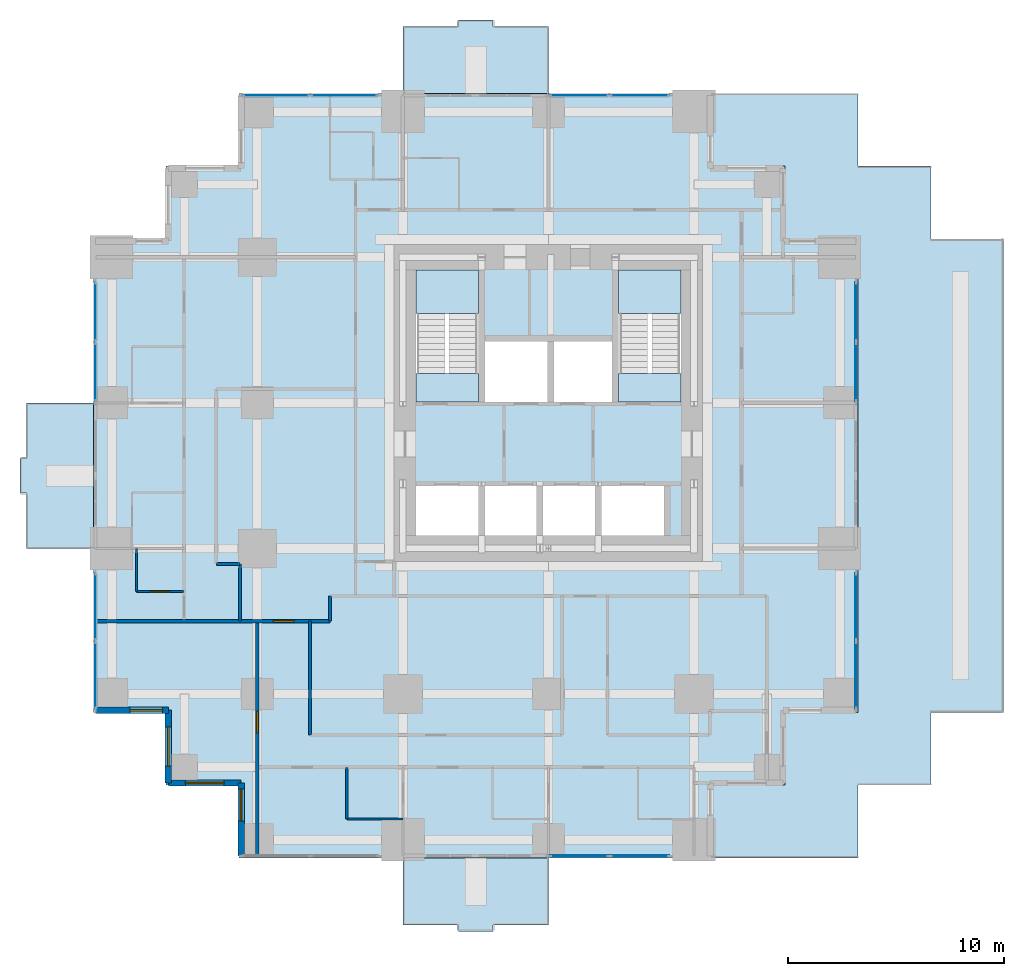
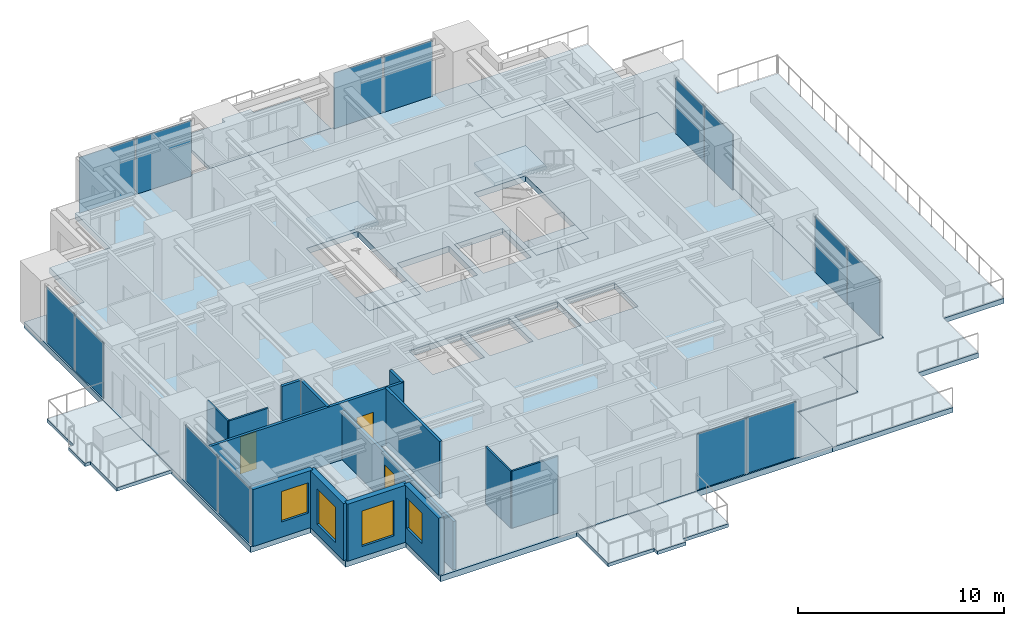
# One storey, part 4 of 10: 14 plates, 14 walls, 9 slabs, 4 windows, 3 doors, 7 openings, 9 elements without a shape of their own.
"""IFC4 building model written with IfcOpenShell, lengths in metres."""

from ifc_helpers import new_model, si_unit, direction, frame, frame_2d, origin, origin_2d, place, context, subcontext, project, spatial, polyline, rectangle, outline, extrude, material, layer, layer_set, type_object, element, fill, aggregate, save


model = new_model("IFC4")

# Units and contexts
model_context = context("Model", 3, precision=1e-05, world=origin(), true_north=direction((0.0, 1.0)))
body_context = subcontext(model_context, "Body", "Model", "MODEL_VIEW")
ifc_project = project(units=[si_unit("LENGTHUNIT", "METRE"), si_unit("AREAUNIT", "SQUARE_METRE"), si_unit("VOLUMEUNIT", "CUBIC_METRE"), si_unit("PLANEANGLEUNIT", "RADIAN"), si_unit("MASSUNIT", "GRAM", prefix="KILO")], contexts=[model_context])

# Site, building, storey
site_placement = place(None, origin())
site = spatial("IfcSite", under=ifc_project, at=site_placement, CompositionType="ELEMENT")
building_placement = place(site_placement, origin())
building = spatial("IfcBuilding", under=site, at=building_placement, Name="Nyansa Garden Tower", CompositionType="ELEMENT")
storey_placement = place(building_placement, frame((0.0, 0.0, 142.199951171875)))
storey = spatial("IfcBuildingStorey", under=building, at=storey_placement, Name="L38", CompositionType="ELEMENT", Elevation=142.199951171875)

# Slabs
ifc_material_1 = material(Name="Concrete C40/50", Category="concrete")
ifc_layer_1 = layer(ifc_material_1, 0.199951171875)
ifc_layer_set_1 = layer_set([ifc_layer_1], Name="Balcony slab BS200")
slab_type_1 = type_object("IfcSlabType", Name="Balcony slab BS200", PredefinedType="FLOOR", material=ifc_layer_set_1)
slab_1_placement = place(storey_placement, frame((0.0, 0.0, -0.239990234375)))
element("IfcSlab", 1, at=slab_1_placement, inside=storey, type_object=slab_type_1, Name="Balcony L38 S", PredefinedType="FLOOR", context=body_context, shape_type="SweptSolid", body=[
    extrude(outline(polyline([(13.5, -0.85009765625), (20.25, -0.85009765625), (20.25, -3.949951171875), (17.675048828125, -3.949951171875), (17.675048828125, -4.25), (16.074951171875, -4.25), (16.074951171875, -3.949951171875), (13.5, -3.949951171875), (13.5, -0.85009765625)])), origin(), (0.0, 0.0, 1.0), 0.199951171875),
])
slab_2_placement = place(storey_placement, frame((0.0, 0.0, -0.239990234375)))
element("IfcSlab", 2, at=slab_2_placement, inside=storey, type_object=slab_type_1, Name="Balcony L38 N", PredefinedType="FLOOR", context=body_context, shape_type="SweptSolid", body=[
    extrude(outline(polyline([(13.5, 34.60009765625), (20.25, 34.60009765625), (20.25, 37.699951171875), (17.675048828125, 37.699951171875), (17.675048828125, 38.0), (16.074951171875, 38.0), (16.074951171875, 37.699951171875), (13.5, 37.699951171875), (13.5, 34.60009765625)])), origin(), (0.0, 0.0, 1.0), 0.199951171875),
])
slab_3_placement = place(storey_placement, frame((0.0, 0.0, -0.239990234375)))
element("IfcSlab", 3, at=slab_3_placement, inside=storey, type_object=slab_type_1, Name="Balcony L38 W", PredefinedType="FLOOR", context=body_context, shape_type="SweptSolid", body=[
    extrude(outline(polyline([(-0.85009765625, 13.5), (-0.85009765625, 20.25), (-3.949951171875, 20.25), (-3.949951171875, 17.675048828125), (-4.25, 17.675048828125), (-4.25, 16.074951171875), (-3.949951171875, 16.074951171875), (-3.949951171875, 13.5), (-0.85009765625, 13.5)])), origin(), (0.0, 0.0, 1.0), 0.199951171875),
])

# Curtain wall, plates
ifc_material_2 = material(Name="Black anodised aluminium, dark tinted double glazing", Category="aluminium")
curtain_wall_type = type_object("IfcCurtainWallType", Name="Inner skin curtain wall ISW-C", PredefinedType="USERDEFINED", material=ifc_material_2)
curtain_wall_1_placement = place(storey_placement, origin())
curtain_wall_1 = element("IfcCurtainWall", 4, at=curtain_wall_1_placement, inside=storey, type_object=curtain_wall_type, Name="Inner skin curtain wall L38 E", ObjectType="UNITISED CURTAIN WALL", PredefinedType="USERDEFINED")
ifc_material_3 = material(Name="Dark tinted laminated double glazing", Category="glass")
ifc_layer_2 = layer(ifc_material_3, 0.0400390625)
ifc_layer_set_2 = layer_set([ifc_layer_2], Name="Dark tinted vision panel VP-C")
plate_type = type_object("IfcPlateType", Name="Dark tinted vision panel VP-C", PredefinedType="CURTAIN_PANEL", material=ifc_layer_set_2)
plate_1_placement = place(storey_placement, frame((34.5, 7.6201171875, 0.0), z_axis=(0.0, 0.0, 1.0), x_axis=(0.0, 1.0, 0.0)))
plate_1 = element("IfcPlate", 5, at=plate_1_placement, type_object=plate_type, Name="ISW-C panel 1", PredefinedType="CURTAIN_PANEL", context=body_context, shape_type="SweptSolid", body=[
    extrude(rectangle(XDim=3.10009765625, YDim=0.0400390625, at=origin_2d()), origin(), (0.0, 0.0, 1.0), 3.304931640625),
])
plate_2_placement = place(storey_placement, frame((34.5, 10.7900390625, 0.0), z_axis=(0.0, 0.0, 1.0), x_axis=(0.0, 1.0, 0.0)))
plate_2 = element("IfcPlate", 6, at=plate_2_placement, type_object=plate_type, Name="ISW-C panel 2", PredefinedType="CURTAIN_PANEL", context=body_context, shape_type="SweptSolid", body=[
    extrude(rectangle(XDim=3.10009765625, YDim=0.0400390625, at=origin_2d()), origin(), (0.0, 0.0, 1.0), 3.304931640625),
])
aggregate(curtain_wall_1, [plate_1, plate_2])

curtain_wall_2_placement = place(storey_placement, origin())
curtain_wall_2 = element("IfcCurtainWall", 7, at=curtain_wall_2_placement, inside=storey, type_object=curtain_wall_type, Name="Inner skin curtain wall L38 E", ObjectType="UNITISED CURTAIN WALL", PredefinedType="USERDEFINED")
plate_3_placement = place(storey_placement, frame((34.5, 21.6826171875, 0.0), z_axis=(0.0, 0.0, 1.0), x_axis=(0.0, 1.0, 0.0)))
plate_3 = element("IfcPlate", 8, at=plate_3_placement, type_object=plate_type, Name="ISW-C panel 1", PredefinedType="CURTAIN_PANEL", context=body_context, shape_type="SweptSolid", body=[
    extrude(rectangle(XDim=2.72509765625, YDim=0.0400390625, at=origin_2d()), origin(), (0.0, 0.0, 1.0), 3.304931640625),
])
plate_4_placement = place(storey_placement, frame((34.5, 24.4775390625, 0.0), z_axis=(0.0, 0.0, 1.0), x_axis=(0.0, 1.0, 0.0)))
plate_4 = element("IfcPlate", 9, at=plate_4_placement, type_object=plate_type, Name="ISW-C panel 2", PredefinedType="CURTAIN_PANEL", context=body_context, shape_type="SweptSolid", body=[
    extrude(rectangle(XDim=2.72509765625, YDim=0.0400390625, at=origin_2d()), origin(), (0.0, 0.0, 1.0), 3.304931640625),
])
aggregate(curtain_wall_2, [plate_3, plate_4])

curtain_wall_3_placement = place(storey_placement, origin())
curtain_wall_3 = element("IfcCurtainWall", 10, at=curtain_wall_3_placement, inside=storey, type_object=curtain_wall_type, Name="Inner skin curtain wall L38 N", ObjectType="UNITISED CURTAIN WALL", PredefinedType="USERDEFINED")
plate_5_placement = place(storey_placement, frame((10.7900390625, 34.5, 0.0), z_axis=(0.0, 0.0, 1.0), x_axis=(-1.0, 0.0, 0.0)))
plate_5 = element("IfcPlate", 11, at=plate_5_placement, type_object=plate_type, Name="ISW-C panel 1", PredefinedType="CURTAIN_PANEL", context=body_context, shape_type="SweptSolid", body=[
    extrude(rectangle(XDim=3.10009765625, YDim=0.0400390625, at=origin_2d()), origin(), (0.0, 0.0, 1.0), 3.304931640625),
])
plate_6_placement = place(storey_placement, frame((7.6201171875, 34.5, 0.0), z_axis=(0.0, 0.0, 1.0), x_axis=(-1.0, 0.0, 0.0)))
plate_6 = element("IfcPlate", 12, at=plate_6_placement, type_object=plate_type, Name="ISW-C panel 2", PredefinedType="CURTAIN_PANEL", context=body_context, shape_type="SweptSolid", body=[
    extrude(rectangle(XDim=3.10009765625, YDim=0.0400390625, at=origin_2d()), origin(), (0.0, 0.0, 1.0), 3.304931640625),
])
aggregate(curtain_wall_3, [plate_5, plate_6])

curtain_wall_4_placement = place(storey_placement, origin())
curtain_wall_4 = element("IfcCurtainWall", 13, at=curtain_wall_4_placement, inside=storey, type_object=curtain_wall_type, Name="Inner skin curtain wall L38 N", ObjectType="UNITISED CURTAIN WALL", PredefinedType="USERDEFINED")
plate_7_placement = place(storey_placement, frame((24.4775390625, 34.5, 0.0), z_axis=(0.0, 0.0, 1.0), x_axis=(-1.0, 0.0, 0.0)))
plate_7 = element("IfcPlate", 14, at=plate_7_placement, type_object=plate_type, Name="ISW-C panel 1", PredefinedType="CURTAIN_PANEL", context=body_context, shape_type="SweptSolid", body=[
    extrude(rectangle(XDim=2.72509765625, YDim=0.0400390625, at=origin_2d()), origin(), (0.0, 0.0, 1.0), 3.304931640625),
])
plate_8_placement = place(storey_placement, frame((21.6826171875, 34.5, 0.0), z_axis=(0.0, 0.0, 1.0), x_axis=(-1.0, 0.0, 0.0)))
plate_8 = element("IfcPlate", 15, at=plate_8_placement, type_object=plate_type, Name="ISW-C panel 2", PredefinedType="CURTAIN_PANEL", context=body_context, shape_type="SweptSolid", body=[
    extrude(rectangle(XDim=2.72509765625, YDim=0.0400390625, at=origin_2d()), origin(), (0.0, 0.0, 1.0), 3.304931640625),
])
aggregate(curtain_wall_4, [plate_7, plate_8])

curtain_wall_5_placement = place(storey_placement, origin())
curtain_wall_5 = element("IfcCurtainWall", 16, at=curtain_wall_5_placement, inside=storey, type_object=curtain_wall_type, Name="Inner skin curtain wall L38 W", ObjectType="UNITISED CURTAIN WALL", PredefinedType="USERDEFINED")
plate_9_placement = place(storey_placement, frame((-0.75, 10.7900390625, 0.0), z_axis=(0.0, 0.0, 1.0), x_axis=(0.0, -1.0, 0.0)))
plate_9 = element("IfcPlate", 17, at=plate_9_placement, type_object=plate_type, Name="ISW-C panel 1", PredefinedType="CURTAIN_PANEL", context=body_context, shape_type="SweptSolid", body=[
    extrude(rectangle(XDim=3.10009765625, YDim=0.0400390625, at=origin_2d()), origin(), (0.0, 0.0, 1.0), 3.304931640625),
])
plate_10_placement = place(storey_placement, frame((-0.75, 7.6201171875, 0.0), z_axis=(0.0, 0.0, 1.0), x_axis=(0.0, -1.0, 0.0)))
plate_10 = element("IfcPlate", 18, at=plate_10_placement, type_object=plate_type, Name="ISW-C panel 2", PredefinedType="CURTAIN_PANEL", context=body_context, shape_type="SweptSolid", body=[
    extrude(rectangle(XDim=3.10009765625, YDim=0.0400390625, at=origin_2d()), origin(), (0.0, 0.0, 1.0), 3.304931640625),
])
aggregate(curtain_wall_5, [plate_9, plate_10])

curtain_wall_6_placement = place(storey_placement, origin())
curtain_wall_6 = element("IfcCurtainWall", 19, at=curtain_wall_6_placement, inside=storey, type_object=curtain_wall_type, Name="Inner skin curtain wall L38 W", ObjectType="UNITISED CURTAIN WALL", PredefinedType="USERDEFINED")
plate_11_placement = place(storey_placement, frame((-0.75, 24.4775390625, 0.0), z_axis=(0.0, 0.0, 1.0), x_axis=(0.0, -1.0, 0.0)))
plate_11 = element("IfcPlate", 20, at=plate_11_placement, type_object=plate_type, Name="ISW-C panel 1", PredefinedType="CURTAIN_PANEL", context=body_context, shape_type="SweptSolid", body=[
    extrude(rectangle(XDim=2.72509765625, YDim=0.0400390625, at=origin_2d()), origin(), (0.0, 0.0, 1.0), 3.304931640625),
])
plate_12_placement = place(storey_placement, frame((-0.75, 21.6826171875, 0.0), z_axis=(0.0, 0.0, 1.0), x_axis=(0.0, -1.0, 0.0)))
plate_12 = element("IfcPlate", 21, at=plate_12_placement, type_object=plate_type, Name="ISW-C panel 2", PredefinedType="CURTAIN_PANEL", context=body_context, shape_type="SweptSolid", body=[
    extrude(rectangle(XDim=2.72509765625, YDim=0.0400390625, at=origin_2d()), origin(), (0.0, 0.0, 1.0), 3.304931640625),
])
aggregate(curtain_wall_6, [plate_11, plate_12])

curtain_wall_7_placement = place(storey_placement, origin())
curtain_wall_7 = element("IfcCurtainWall", 22, at=curtain_wall_7_placement, inside=storey, type_object=curtain_wall_type, Name="Inner skin curtain wall L38 S", ObjectType="UNITISED CURTAIN WALL", PredefinedType="USERDEFINED")
plate_13_placement = place(storey_placement, frame((21.6826171875, -0.75, 0.0), z_axis=(0.0, 0.0, 1.0), x_axis=(1.0, 0.0, 0.0)))
plate_13 = element("IfcPlate", 23, at=plate_13_placement, type_object=plate_type, Name="ISW-C panel 1", PredefinedType="CURTAIN_PANEL", context=body_context, shape_type="SweptSolid", body=[
    extrude(rectangle(XDim=2.72509765625, YDim=0.0400390625, at=origin_2d()), origin(), (0.0, 0.0, 1.0), 3.304931640625),
])
plate_14_placement = place(storey_placement, frame((24.4775390625, -0.75, 0.0), z_axis=(0.0, 0.0, 1.0), x_axis=(1.0, 0.0, 0.0)))
plate_14 = element("IfcPlate", 24, at=plate_14_placement, type_object=plate_type, Name="ISW-C panel 2", PredefinedType="CURTAIN_PANEL", context=body_context, shape_type="SweptSolid", body=[
    extrude(rectangle(XDim=2.72509765625, YDim=0.0400390625, at=origin_2d()), origin(), (0.0, 0.0, 1.0), 3.304931640625),
])
aggregate(curtain_wall_7, [plate_13, plate_14])

# Stair, slabs
ifc_material_4 = material(Name="Precast concrete C40/50", Category="concrete")
stair_type_1 = type_object("IfcStairType", Name="Stair S1 164x280", PredefinedType="HALF_TURN_STAIR", material=ifc_material_4)
stair_1_placement = place(storey_placement, origin())
stair_1 = element("IfcStair", 25, at=stair_1_placement, inside=storey, type_object=stair_type_1, Name="Stair S1 L38", PredefinedType="HALF_TURN_STAIR")
ifc_material_5 = material(Name="Concrete C40/50", Category="concrete")
ifc_layer_3 = layer(ifc_material_5, 0.199951171875)
ifc_layer_set_3 = layer_set([ifc_layer_3], Name="Stair landing SL200")
slab_type_2 = type_object("IfcSlabType", Name="Stair landing SL200", PredefinedType="LANDING", material=ifc_layer_set_3)
slab_4_placement = place(storey_placement, frame((0.0, 0.0, -0.199951171875)))
slab_4 = element("IfcSlab", 26, at=slab_4_placement, type_object=slab_type_2, Name="S1 landing 1", PredefinedType="LANDING", context=body_context, shape_type="SweptSolid", body=[
    extrude(outline(polyline([(14.10009765625, 20.300048828125), (17.0, 20.300048828125), (17.0, 21.60009765625), (14.10009765625, 21.60009765625), (14.10009765625, 20.300048828125)])), origin(), (0.0, 0.0, 1.0), 0.199951171875),
])
slab_5_placement = place(storey_placement, frame((0.0, 0.0, 1.60009765625)))
slab_5 = element("IfcSlab", 27, at=slab_5_placement, type_object=slab_type_2, Name="S1 landing 2", PredefinedType="LANDING", context=body_context, shape_type="SweptSolid", body=[
    extrude(outline(polyline([(14.10009765625, 24.39990234375), (17.0, 24.39990234375), (17.0, 26.39990234375), (14.10009765625, 26.39990234375), (14.10009765625, 24.39990234375)])), origin(), (0.0, 0.0, 1.0), 0.199951171875),
])
aggregate(stair_1, [slab_4, slab_5])

ifc_material_6 = material(Name="Precast concrete C40/50", Category="concrete")
stair_type_2 = type_object("IfcStairType", Name="Stair S2 164x280", PredefinedType="HALF_TURN_STAIR", material=ifc_material_6)
stair_2_placement = place(storey_placement, origin())
stair_2 = element("IfcStair", 28, at=stair_2_placement, inside=storey, type_object=stair_type_2, Name="Stair S2 L38", PredefinedType="HALF_TURN_STAIR")
slab_6_placement = place(storey_placement, frame((0.0, 0.0, -0.199951171875)))
slab_6 = element("IfcSlab", 29, at=slab_6_placement, type_object=slab_type_2, Name="S2 landing 1", PredefinedType="LANDING", context=body_context, shape_type="SweptSolid", body=[
    extrude(outline(polyline([(23.5, 20.300048828125), (26.39990234375, 20.300048828125), (26.39990234375, 21.60009765625), (23.5, 21.60009765625), (23.5, 20.300048828125)])), origin(), (0.0, 0.0, 1.0), 0.199951171875),
])
slab_7_placement = place(storey_placement, frame((0.0, 0.0, 1.60009765625)))
slab_7 = element("IfcSlab", 30, at=slab_7_placement, type_object=slab_type_2, Name="S2 landing 2", PredefinedType="LANDING", context=body_context, shape_type="SweptSolid", body=[
    extrude(outline(polyline([(23.5, 24.39990234375), (26.39990234375, 24.39990234375), (26.39990234375, 26.39990234375), (23.5, 26.39990234375), (23.5, 24.39990234375)])), origin(), (0.0, 0.0, 1.0), 0.199951171875),
])
aggregate(stair_2, [slab_6, slab_7])

# Slabs
ifc_material_7 = material(Name="Concrete C40/50, waterproofed to falls", Category="concrete")
ifc_layer_4 = layer(ifc_material_7, 0.2900390625)
ifc_layer_set_4 = layer_set([ifc_layer_4], Name="Terrace slab TS290")
slab_type_3 = type_object("IfcSlabType", Name="Terrace slab TS290", PredefinedType="ROOF", material=ifc_layer_set_4)
slab_8_placement = place(storey_placement, frame((0.0, 0.0, -0.349853515625)))
element("IfcSlab", 31, at=slab_8_placement, inside=storey, type_object=slab_type_3, Name="Setback roof (maintenance access only) L38", PredefinedType="ROOF", context=body_context, shape_type="SweptSolid", body=[
    extrude(outline(polyline([(37.97509765625, 5.89990234375), (37.97509765625, 2.52490234375), (34.60009765625, 2.52490234375), (34.60009765625, -0.85009765625), (27.85009765625, -0.85009765625), (27.85009765625, 2.52490234375), (31.22509765625, 2.52490234375), (31.22509765625, 5.89990234375), (34.60009765625, 5.89990234375), (34.60009765625, 27.85009765625), (31.22509765625, 27.85009765625), (31.22509765625, 31.22509765625), (27.85009765625, 31.22509765625), (27.85009765625, 34.60009765625), (34.60009765625, 34.60009765625), (34.60009765625, 31.22509765625), (37.97509765625, 31.22509765625), (37.97509765625, 27.85009765625), (41.35009765625, 27.85009765625), (41.35009765625, 5.89990234375), (37.97509765625, 5.89990234375)])), origin(), (0.0, 0.0, 1.0), 0.289794921875),
])
ifc_material_8 = material(Name="Concrete C40/50", Category="concrete")
ifc_layer_5 = layer(ifc_material_8, 0.35009765625)
ifc_layer_set_5 = layer_set([ifc_layer_5], Name="Transfer floor slab FS350")
slab_type_4 = type_object("IfcSlabType", Name="Transfer floor slab FS350", PredefinedType="FLOOR", material=ifc_layer_set_5)
slab_9_placement = place(storey_placement, frame((0.0, 0.0, -0.349853515625)))
element("IfcSlab", 32, at=slab_9_placement, inside=storey, type_object=slab_type_4, Name="Floor slab L38", PredefinedType="FLOOR", context=body_context, shape_type="SweptSolid", body=[
    extrude(outline(polyline([(34.60009765625, 5.89990234375), (31.22509765625, 5.89990234375), (31.22509765625, 2.52490234375), (27.85009765625, 2.52490234375), (27.85009765625, -0.85009765625), (5.89990234375, -0.85009765625), (5.89990234375, 2.52490234375), (2.52490234375, 2.52490234375), (2.52490234375, 5.89990234375), (-0.85009765625, 5.89990234375), (-0.85009765625, 27.85009765625), (2.52490234375, 27.85009765625), (2.52490234375, 31.22509765625), (5.89990234375, 31.22509765625), (5.89990234375, 34.60009765625), (27.85009765625, 34.60009765625), (27.85009765625, 31.22509765625), (31.22509765625, 31.22509765625), (31.22509765625, 27.85009765625), (34.60009765625, 27.85009765625), (34.60009765625, 5.89990234375)]), holes=[polyline([(14.10009765625, 14.10009765625), (17.0, 14.10009765625), (17.0, 16.39990234375), (14.10009765625, 16.39990234375), (14.10009765625, 14.10009765625)]), polyline([(17.300048828125, 14.10009765625), (19.699951171875, 14.10009765625), (19.699951171875, 16.39990234375), (17.300048828125, 16.39990234375), (17.300048828125, 14.10009765625)]), polyline([(20.0, 14.10009765625), (22.39990234375, 14.10009765625), (22.39990234375, 16.39990234375), (20.0, 16.39990234375), (20.0, 14.10009765625)]), polyline([(22.699951171875, 14.10009765625), (25.60009765625, 14.10009765625), (25.60009765625, 16.39990234375), (22.699951171875, 16.39990234375), (22.699951171875, 14.10009765625)]), polyline([(17.300048828125, 20.300048828125), (20.199951171875, 20.300048828125), (20.199951171875, 23.10009765625), (17.300048828125, 23.10009765625), (17.300048828125, 20.300048828125)]), polyline([(20.5, 20.300048828125), (23.199951171875, 20.300048828125), (23.199951171875, 23.10009765625), (20.5, 23.10009765625), (20.5, 20.300048828125)]), polyline([(14.10009765625, 20.300048828125), (17.0, 20.300048828125), (17.0, 26.39990234375), (14.10009765625, 26.39990234375), (14.10009765625, 20.300048828125)]), polyline([(23.5, 20.300048828125), (26.39990234375, 20.300048828125), (26.39990234375, 26.39990234375), (23.5, 26.39990234375), (23.5, 20.300048828125)])]), origin(), (0.0, 0.0, 1.0), 0.349853515625),
])

# Wall, opening, door
ifc_material_9 = material(Name="Blockwork, plastered both sides", Category="masonry")
ifc_layer_6 = layer(ifc_material_9, 0.14990234375)
ifc_layer_set_6 = layer_set([ifc_layer_6], Name="Partition PW150")
wall_type_1 = type_object("IfcWallType", Name="Partition PW150", PredefinedType="PARTITIONING", material=ifc_layer_set_6)
wall_1_placement = place(storey_placement, frame((-0.73388671875, 10.125, 0.0), z_axis=(0.0, 0.0, 1.0), x_axis=(1.0, 0.0, 0.0)))
wall_1 = element("IfcWall", 33, at=wall_1_placement, inside=storey, type_object=wall_type_1, Name="Partition", PredefinedType="PARTITIONING", context=body_context, shape_type="SweptSolid", body=[
    extrude(rectangle(XDim=10.85888671875, YDim=0.14990234375, at=frame_2d((5.429443359375, 0.0))), origin(), (0.0, 0.0, 1.0), 3.375),
])
opening_1_placement = place(wall_1_placement, frame((8.23388671875, 0.0, 0.0)))
opening_1 = element("IfcOpeningElement", 34, at=opening_1_placement, cuts=wall_1, Name="Opening D01", PredefinedType="OPENING", context=body_context, shape_type="SweptSolid", body=[
    extrude(rectangle(XDim=0.949951171875, YDim=2.199951171875, at=frame_2d((0.47509765625, 1.10009765625))), frame((0.0, 0.0849609375, 0.0), z_axis=(0.0, -1.0, 0.0), x_axis=(1.0, 0.0, 0.0)), (0.0, 0.0, 1.0), 0.169921875),
])
ifc_material_10 = material(Name="Timber flush door, 30 minute fire resisting", Category="wood")
door_type_1 = type_object("IfcDoorType", Name="Bedroom door D01 950x2200", OperationType="SINGLE_SWING_LEFT", PredefinedType="DOOR", material=ifc_material_10)
door_1_placement = place(opening_1_placement, origin())
door_1 = element("IfcDoor", 35, at=door_1_placement, inside=storey, type_object=door_type_1, Name="Door L38-047", OperationType="SINGLE_SWING_LEFT", OverallHeight=2.199951171875, OverallWidth=0.949951171875, PredefinedType="DOOR", context=body_context, shape_type="SweptSolid", body=[
    extrude(rectangle(XDim=0.949951171875, YDim=2.199951171875, at=frame_2d((0.47509765625, 1.10009765625))), frame((0.0, 0.02490234375, 0.0), z_axis=(0.0, -1.0, 0.0), x_axis=(1.0, 0.0, 0.0)), (0.0, 0.0, 1.0), 0.050048828125),
])
fill(opening_1, door_1)

# Walls
wall_2_placement = place(storey_placement, frame((4.85009765625, 12.77490234375, 0.0), z_axis=(0.0, 0.0, 1.0), x_axis=(1.0, 0.0, 0.0)))
element("IfcWall", 36, at=wall_2_placement, inside=storey, type_object=wall_type_1, Name="Partition", PredefinedType="PARTITIONING", context=body_context, shape_type="SweptSolid", body=[
    extrude(rectangle(XDim=1.099853515625, YDim=0.14990234375, at=frame_2d((0.5498046875, 0.0))), origin(), (0.0, 0.0, 1.0), 3.375),
])
wall_3_placement = place(storey_placement, frame((5.949951171875, 10.125, 0.0), z_axis=(0.0, 0.0, 1.0), x_axis=(0.0, 1.0, 0.0)))
element("IfcWall", 37, at=wall_3_placement, inside=storey, type_object=wall_type_1, Name="Partition", PredefinedType="PARTITIONING", context=body_context, shape_type="SweptSolid", body=[
    extrude(rectangle(XDim=2.64990234375, YDim=0.14990234375, at=frame_2d((1.324951171875, 0.0))), origin(), (0.0, 0.0, 1.0), 3.375),
])

# Wall, opening, door
wall_4_placement = place(storey_placement, frame((6.75, -0.73388671875, 0.0), z_axis=(0.0, 0.0, 1.0), x_axis=(0.0, 1.0, 0.0)))
wall_4 = element("IfcWall", 38, at=wall_4_placement, inside=storey, type_object=wall_type_1, Name="Partition", PredefinedType="PARTITIONING", context=body_context, shape_type="SweptSolid", body=[
    extrude(rectangle(XDim=10.85888671875, YDim=0.14990234375, at=frame_2d((5.429443359375, 0.0))), origin(), (0.0, 0.0, 1.0), 2.876953125),
])
opening_2_placement = place(wall_4_placement, frame((5.68408203125, 0.0, 0.0)))
opening_2 = element("IfcOpeningElement", 39, at=opening_2_placement, cuts=wall_4, Name="Opening D03", PredefinedType="OPENING", context=body_context, shape_type="SweptSolid", body=[
    extrude(rectangle(XDim=1.0, YDim=2.199951171875, at=frame_2d((0.5, 1.10009765625))), frame((0.0, 0.0849609375, 0.0), z_axis=(0.0, -1.0, 0.0), x_axis=(1.0, 0.0, 0.0)), (0.0, 0.0, 1.0), 0.169921875),
])
ifc_material_11 = material(Name="Timber flush door, 60 minute fire resisting", Category="wood")
door_type_2 = type_object("IfcDoorType", Name="Cluster entrance door D03 1000x2200", OperationType="SINGLE_SWING_LEFT", PredefinedType="DOOR", material=ifc_material_11)
door_2_placement = place(opening_2_placement, origin())
door_2 = element("IfcDoor", 40, at=door_2_placement, inside=storey, type_object=door_type_2, Name="Door L38-017", OperationType="SINGLE_SWING_LEFT", OverallHeight=2.199951171875, OverallWidth=1.0, PredefinedType="DOOR", context=body_context, shape_type="SweptSolid", body=[
    extrude(rectangle(XDim=1.0, YDim=2.199951171875, at=frame_2d((0.5, 1.10009765625))), frame((0.0, 0.02490234375, 0.0), z_axis=(0.0, -1.0, 0.0), x_axis=(1.0, 0.0, 0.0)), (0.0, 0.0, 1.0), 0.050048828125),
])
fill(opening_2, door_2)

# Walls
wall_5_placement = place(storey_placement, frame((9.199951171875, 4.85009765625, 0.0), z_axis=(0.0, 0.0, 1.0), x_axis=(0.0, 1.0, 0.0)))
element("IfcWall", 41, at=wall_5_placement, inside=storey, type_object=wall_type_1, Name="Partition", PredefinedType="PARTITIONING", context=body_context, shape_type="SweptSolid", body=[
    extrude(rectangle(XDim=5.27490234375, YDim=0.14990234375, at=frame_2d((2.637451171875, 0.0))), origin(), (0.0, 0.0, 1.0), 3.375),
])
wall_6_placement = place(storey_placement, frame((10.125, 10.125, 0.0), z_axis=(0.0, 0.0, 1.0), x_axis=(0.0, 1.0, 0.0)))
element("IfcWall", 42, at=wall_6_placement, inside=storey, type_object=wall_type_1, Name="Partition", PredefinedType="PARTITIONING", context=body_context, shape_type="SweptSolid", body=[
    extrude(rectangle(XDim=1.175048828125, YDim=0.14990234375, at=frame_2d((0.58740234375, 0.0))), origin(), (0.0, 0.0, 1.0), 3.375),
])

# Wall, opening, window
ifc_material_12 = material(Name="Turquoise glazed tile on concrete blockwork", Category="masonry")
ifc_layer_7 = layer(ifc_material_12, 0.300048828125)
ifc_layer_set_7 = layer_set([ifc_layer_7], Name="Tiled corner wall TW300")
wall_type_2 = type_object("IfcWallType", Name="Tiled corner wall TW300", PredefinedType="SOLIDWALL", material=ifc_layer_set_7)
wall_7_placement = place(storey_placement, frame((-0.75, 6.0, 0.0), z_axis=(0.0, 0.0, 1.0), x_axis=(1.0, 0.0, 0.0)))
wall_7 = element("IfcWall", 43, at=wall_7_placement, inside=storey, type_object=wall_type_2, Name="Tiled corner wall L38", PredefinedType="SOLIDWALL", context=body_context, shape_type="SweptSolid", body=[
    extrude(rectangle(XDim=3.375, YDim=0.300048828125, at=frame_2d((1.6875, 0.0))), origin(), (0.0, 0.0, 1.0), 3.375),
])
opening_3_placement = place(wall_7_placement, frame((1.607421875, 0.0, 0.89990234375)))
opening_3 = element("IfcOpeningElement", 44, at=opening_3_placement, cuts=wall_7, Name="Opening W1", PredefinedType="OPENING", context=body_context, shape_type="SweptSolid", body=[
    extrude(rectangle(XDim=1.5, YDim=1.800048828125, at=frame_2d((0.75, 0.89990234375))), frame((0.0, 0.159912109375, 0.0), z_axis=(0.0, -1.0, 0.0), x_axis=(1.0, 0.0, 0.0)), (0.0, 0.0, 1.0), 0.320068359375),
])
ifc_material_13 = material(Name="Black aluminium frame, dark tinted double glazing", Category="aluminium")
window_type_1 = type_object("IfcWindowType", Name="Window W1 1500x1800", PartitioningType="SINGLE_PANEL", PredefinedType="WINDOW", material=ifc_material_13)
window_1_placement = place(opening_3_placement, origin())
window_1 = element("IfcWindow", 45, at=window_1_placement, inside=storey, type_object=window_type_1, Name="Corner window L38", OverallHeight=1.800048828125, OverallWidth=1.5, PartitioningType="SINGLE_PANEL", PredefinedType="WINDOW", context=body_context, shape_type="SweptSolid", body=[
    extrude(rectangle(XDim=1.5, YDim=1.800048828125, at=frame_2d((0.75, 0.89990234375))), frame((0.0, 0.030029296875, 0.0), z_axis=(0.0, -1.0, 0.0), x_axis=(1.0, 0.0, 0.0)), (0.0, 0.0, 1.0), 0.06005859375),
])
fill(opening_3, window_1)

wall_8_placement = place(storey_placement, frame((2.625, 6.0, 0.0), z_axis=(0.0, 0.0, 1.0), x_axis=(0.0, -1.0, 0.0)))
wall_8 = element("IfcWall", 46, at=wall_8_placement, inside=storey, type_object=wall_type_2, Name="Tiled corner wall L38", PredefinedType="SOLIDWALL", context=body_context, shape_type="SweptSolid", body=[
    extrude(rectangle(XDim=3.375, YDim=0.300048828125, at=frame_2d((1.6875, 0.0))), origin(), (0.0, 0.0, 1.0), 3.375),
])
opening_4_placement = place(wall_8_placement, frame((0.78759765625, 0.0, 0.60009765625)))
opening_4 = element("IfcOpeningElement", 47, at=opening_4_placement, cuts=wall_8, Name="Opening W2", PredefinedType="OPENING", context=body_context, shape_type="SweptSolid", body=[
    extrude(rectangle(XDim=1.800048828125, YDim=2.10009765625, at=frame_2d((0.89990234375, 1.050048828125))), frame((0.0, 0.159912109375, 0.0), z_axis=(0.0, -1.0, 0.0), x_axis=(1.0, 0.0, 0.0)), (0.0, 0.0, 1.0), 0.320068359375),
])
ifc_material_14 = material(Name="Black aluminium frame, dark tinted double glazing", Category="aluminium")
window_type_2 = type_object("IfcWindowType", Name="Window W2 1800x2100", PartitioningType="SINGLE_PANEL", PredefinedType="WINDOW", material=ifc_material_14)
window_2_placement = place(opening_4_placement, origin())
window_2 = element("IfcWindow", 48, at=window_2_placement, inside=storey, type_object=window_type_2, Name="Corner window L38", OverallHeight=2.10009765625, OverallWidth=1.800048828125, PartitioningType="SINGLE_PANEL", PredefinedType="WINDOW", context=body_context, shape_type="SweptSolid", body=[
    extrude(rectangle(XDim=1.800048828125, YDim=2.10009765625, at=frame_2d((0.89990234375, 1.050048828125))), frame((0.0, 0.030029296875, 0.0), z_axis=(0.0, -1.0, 0.0), x_axis=(1.0, 0.0, 0.0)), (0.0, 0.0, 1.0), 0.06005859375),
])
fill(opening_4, window_2)

wall_9_placement = place(storey_placement, frame((2.625, 2.625, 0.0), z_axis=(0.0, 0.0, 1.0), x_axis=(1.0, 0.0, 0.0)))
wall_9 = element("IfcWall", 49, at=wall_9_placement, inside=storey, type_object=wall_type_2, Name="Tiled corner wall L38", PredefinedType="SOLIDWALL", context=body_context, shape_type="SweptSolid", body=[
    extrude(rectangle(XDim=3.375, YDim=0.300048828125, at=frame_2d((1.6875, 0.0))), origin(), (0.0, 0.0, 1.0), 3.375),
])
opening_5_placement = place(wall_9_placement, frame((0.78759765625, 0.0, 0.60009765625)))
opening_5 = element("IfcOpeningElement", 50, at=opening_5_placement, cuts=wall_9, Name="Opening W2", PredefinedType="OPENING", context=body_context, shape_type="SweptSolid", body=[
    extrude(rectangle(XDim=1.800048828125, YDim=2.10009765625, at=frame_2d((0.89990234375, 1.050048828125))), frame((0.0, 0.159912109375, 0.0), z_axis=(0.0, -1.0, 0.0), x_axis=(1.0, 0.0, 0.0)), (0.0, 0.0, 1.0), 0.320068359375),
])
window_3_placement = place(opening_5_placement, origin())
window_3 = element("IfcWindow", 51, at=window_3_placement, inside=storey, type_object=window_type_2, Name="Corner window L38", OverallHeight=2.10009765625, OverallWidth=1.800048828125, PartitioningType="SINGLE_PANEL", PredefinedType="WINDOW", context=body_context, shape_type="SweptSolid", body=[
    extrude(rectangle(XDim=1.800048828125, YDim=2.10009765625, at=frame_2d((0.89990234375, 1.050048828125))), frame((0.0, 0.030029296875, 0.0), z_axis=(0.0, -1.0, 0.0), x_axis=(1.0, 0.0, 0.0)), (0.0, 0.0, 1.0), 0.06005859375),
])
fill(opening_5, window_3)

wall_10_placement = place(storey_placement, frame((6.0, 2.625, 0.0), z_axis=(0.0, 0.0, 1.0), x_axis=(0.0, -1.0, 0.0)))
wall_10 = element("IfcWall", 52, at=wall_10_placement, inside=storey, type_object=wall_type_2, Name="Tiled corner wall L38", PredefinedType="SOLIDWALL", context=body_context, shape_type="SweptSolid", body=[
    extrude(rectangle(XDim=3.375, YDim=0.300048828125, at=frame_2d((1.6875, 0.0))), origin(), (0.0, 0.0, 1.0), 3.375),
])
opening_6_placement = place(wall_10_placement, frame((0.267578125, 0.0, 0.89990234375)))
opening_6 = element("IfcOpeningElement", 53, at=opening_6_placement, cuts=wall_10, Name="Opening W1", PredefinedType="OPENING", context=body_context, shape_type="SweptSolid", body=[
    extrude(rectangle(XDim=1.5, YDim=1.800048828125, at=frame_2d((0.75, 0.89990234375))), frame((0.0, 0.159912109375, 0.0), z_axis=(0.0, -1.0, 0.0), x_axis=(1.0, 0.0, 0.0)), (0.0, 0.0, 1.0), 0.320068359375),
])
window_4_placement = place(opening_6_placement, origin())
window_4 = element("IfcWindow", 54, at=window_4_placement, inside=storey, type_object=window_type_1, Name="Corner window L38", OverallHeight=1.800048828125, OverallWidth=1.5, PartitioningType="SINGLE_PANEL", PredefinedType="WINDOW", context=body_context, shape_type="SweptSolid", body=[
    extrude(rectangle(XDim=1.5, YDim=1.800048828125, at=frame_2d((0.75, 0.89990234375))), frame((0.0, 0.030029296875, 0.0), z_axis=(0.0, -1.0, 0.0), x_axis=(1.0, 0.0, 0.0)), (0.0, 0.0, 1.0), 0.06005859375),
])
fill(opening_6, window_4)

# Wall
ifc_material_15 = material(Name="Moisture resistant board on steel studs, tiled", Category="steel")
ifc_layer_8 = layer(ifc_material_15, 0.10009765625)
ifc_layer_set_8 = layer_set([ifc_layer_8], Name="Wet wall PW100")
wall_type_3 = type_object("IfcWallType", Name="Wet wall PW100", PredefinedType="PARTITIONING", material=ifc_layer_set_8)
wall_11_placement = place(storey_placement, frame((1.14990234375, 11.5, 0.0), z_axis=(0.0, 0.0, 1.0), x_axis=(0.0, 1.0, 0.0)))
element("IfcWall", 55, at=wall_11_placement, inside=storey, type_object=wall_type_3, Name="Wet wall", PredefinedType="PARTITIONING", context=body_context, shape_type="SweptSolid", body=[
    extrude(rectangle(XDim=2.0, YDim=0.10009765625, at=frame_2d((1.0, 0.0))), origin(), (0.0, 0.0, 1.0), 3.375),
])

# Wall, opening, door
wall_12_placement = place(storey_placement, frame((1.14990234375, 11.5, 0.0), z_axis=(0.0, 0.0, 1.0), x_axis=(1.0, 0.0, 0.0)))
wall_12 = element("IfcWall", 56, at=wall_12_placement, inside=storey, type_object=wall_type_3, Name="Wet wall", PredefinedType="PARTITIONING", context=body_context, shape_type="SweptSolid", body=[
    extrude(rectangle(XDim=2.2001953125, YDim=0.10009765625, at=frame_2d((1.10009765625, 0.0))), origin(), (0.0, 0.0, 1.0), 3.375),
])
opening_7_placement = place(wall_12_placement, frame((0.64990234375, 0.0, 0.0)))
opening_7 = element("IfcOpeningElement", 57, at=opening_7_placement, cuts=wall_12, Name="Opening D02", PredefinedType="OPENING", context=body_context, shape_type="SweptSolid", body=[
    extrude(rectangle(XDim=0.89990234375, YDim=2.199951171875, at=frame_2d((0.449951171875, 1.10009765625))), frame((0.0, 0.06005859375, 0.0), z_axis=(0.0, -1.0, 0.0), x_axis=(1.0, 0.0, 0.0)), (0.0, 0.0, 1.0), 0.1201171875),
])
ifc_material_16 = material(Name="Timber flush door", Category="wood")
door_type_3 = type_object("IfcDoorType", Name="En-suite door D02 900x2200", OperationType="SINGLE_SWING_RIGHT", PredefinedType="DOOR", material=ifc_material_16)
door_3_placement = place(opening_7_placement, origin())
door_3 = element("IfcDoor", 58, at=door_3_placement, inside=storey, type_object=door_type_3, Name="Door L38-045", OperationType="SINGLE_SWING_RIGHT", OverallHeight=2.199951171875, OverallWidth=0.89990234375, PredefinedType="DOOR", context=body_context, shape_type="SweptSolid", body=[
    extrude(rectangle(XDim=0.89990234375, YDim=2.199951171875, at=frame_2d((0.449951171875, 1.10009765625))), frame((0.0, 0.02490234375, 0.0), z_axis=(0.0, -1.0, 0.0), x_axis=(1.0, 0.0, 0.0)), (0.0, 0.0, 1.0), 0.050048828125),
])
fill(opening_7, door_3)

# Walls
wall_13_placement = place(storey_placement, frame((10.89990234375, 0.949951171875, 0.0), z_axis=(0.0, 0.0, 1.0), x_axis=(0.0, 1.0, 0.0)))
element("IfcWall", 59, at=wall_13_placement, inside=storey, type_object=wall_type_3, Name="Wet wall", PredefinedType="PARTITIONING", context=body_context, shape_type="SweptSolid", body=[
    extrude(rectangle(XDim=2.400146484375, YDim=0.10009765625, at=frame_2d((1.2001953125, 0.0))), origin(), (0.0, 0.0, 1.0), 3.375),
])
wall_14_placement = place(storey_placement, frame((10.89990234375, 0.949951171875, 0.0), z_axis=(0.0, 0.0, 1.0), x_axis=(1.0, 0.0, 0.0)))
element("IfcWall", 60, at=wall_14_placement, inside=storey, type_object=wall_type_3, Name="Wet wall", PredefinedType="PARTITIONING", context=body_context, shape_type="SweptSolid", body=[
    extrude(rectangle(XDim=2.60009765625, YDim=0.10009765625, at=frame_2d((1.300048828125, 0.0))), origin(), (0.0, 0.0, 1.0), 3.375),
])

save(model, "model.ifc")
